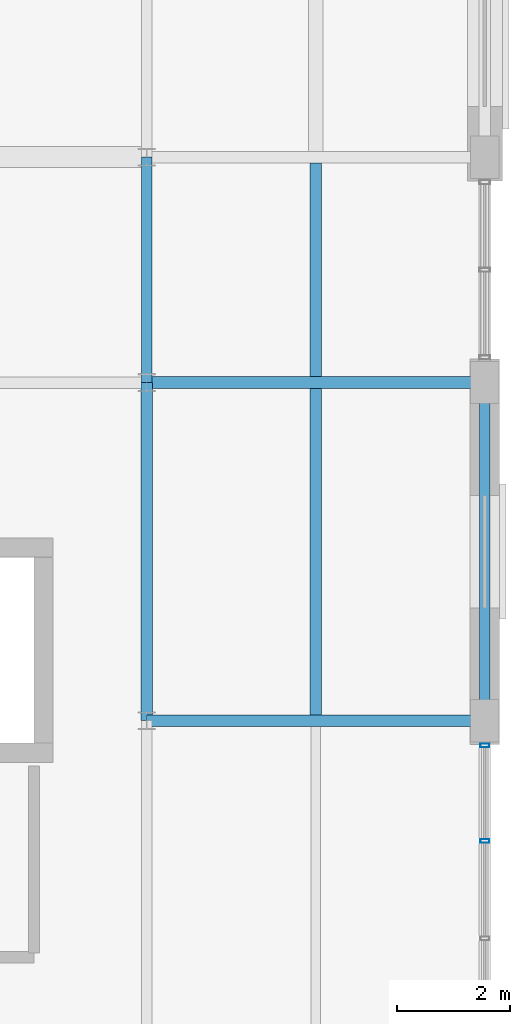
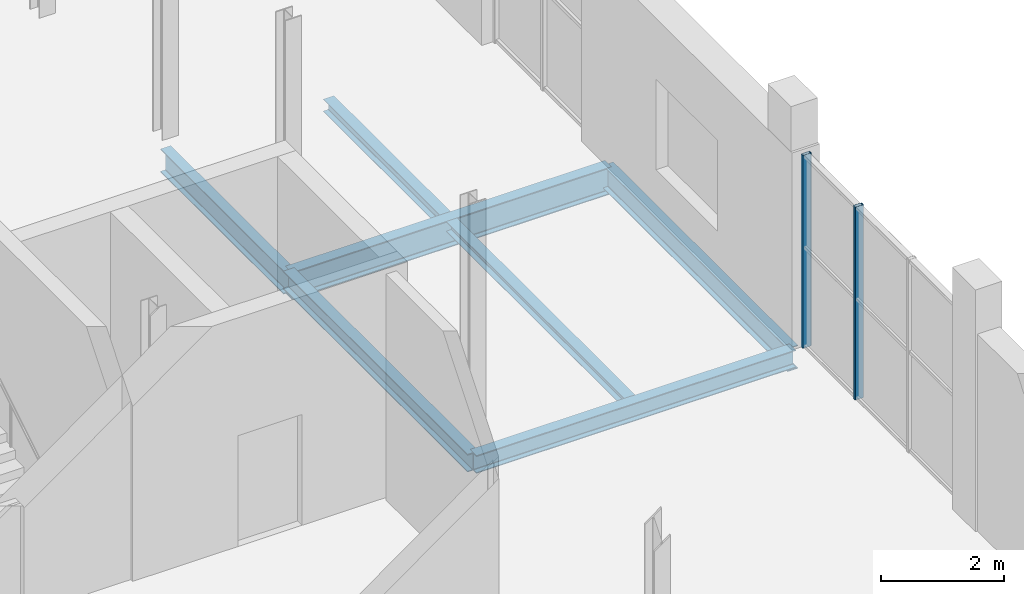
# One storey, part 78 of 114: 7 beams, 2 members, 1 element without a shape of its own.
"""IFC4 building model written with IfcOpenShell, lengths in metres."""

import ifcopenshell
import ifcopenshell.guid

model = None  # the IFC model being written
_history = None  # IfcOwnerHistory: only IFC2X3 demands one
_inside = {}  # id of a spatial element -> (the spatial element, [elements in it])
_under = {}  # id of a project, library or spatial element -> (it, [spatial elements below it])
_declared = {}  # id of a project -> (the project, [libraries it declares])
_typed = {}  # id of a type object -> (the type object, [elements of that type])
_made_of = {}  # id of a material, layer set ... -> (it, [elements and type objects made of it])


def new_model(schema):
    """Start an empty IFC model of exactly this schema.

    Asked for "IFC4X3", IfcOpenShell would pick the latest addendum, in which some entities
    have other attributes; the version numbers below select the first issue.
    IFC2X3 requires an IfcOwnerHistory on every rooted entity: one is made here for all.
    """
    global model, _history
    if schema == "IFC4X3":
        model = ifcopenshell.file(schema_version=(4, 3, 0, 0))
    else:
        model = ifcopenshell.file(schema=schema)
    _inside.clear()
    _under.clear()
    _declared.clear()
    _typed.clear()
    _made_of.clear()
    _history = None
    if model.schema == "IFC2X3":
        org = make("IfcOrganization", Name="unknown")
        user = make(
            "IfcPersonAndOrganization",
            ThePerson=make("IfcPerson", FamilyName="unknown"),
            TheOrganization=org,
        )
        app = make(
            "IfcApplication",
            ApplicationDeveloper=org,
            Version="unknown",
            ApplicationFullName="unknown",
            ApplicationIdentifier="unknown",
        )
        _history = make(
            "IfcOwnerHistory",
            OwningUser=user,
            OwningApplication=app,
            ChangeAction="ADDED",
            CreationDate=0,
        )
    return model


def make(cls, **values):
    """One entity of the class cls with the attributes given. An attribute that is None is left unset."""
    return model.create_entity(
        cls, **{name: value for name, value in values.items() if value is not None}
    )


def rooted(cls, **values):
    """An entity with a GlobalId (a new one), such as an element, a storey or a relation."""
    return make(cls, GlobalId=ifcopenshell.guid.new(), OwnerHistory=_history, **values)


def si_unit(unit_type, name, prefix=None):
    """IfcSIUnit, for example si_unit("LENGTHUNIT", "METRE", prefix="MILLI")."""
    return make("IfcSIUnit", UnitType=unit_type, Prefix=prefix, Name=name)


def assignment(units):
    """IfcUnitAssignment: the units of a project."""
    return None if units is None else make("IfcUnitAssignment", Units=units)


def point(xyz):
    """IfcCartesianPoint."""
    return None if xyz is None else make("IfcCartesianPoint", Coordinates=xyz)


def direction(xyz):
    """IfcDirection."""
    return None if xyz is None else make("IfcDirection", DirectionRatios=xyz)


def frame(location, z_axis=None, x_axis=None):
    """IfcAxis2Placement3D, a coordinate frame: its origin and axes. An axis left out is left unset."""
    return make(
        "IfcAxis2Placement3D",
        Location=point(location),
        Axis=direction(z_axis),
        RefDirection=direction(x_axis),
    )


def frame_2d(location, x_axis=None):
    """IfcAxis2Placement2D, a coordinate frame in the plane: its origin and x axis."""
    return make(
        "IfcAxis2Placement2D", Location=point(location), RefDirection=direction(x_axis)
    )


def origin():
    """The frame at (0, 0, 0) with its axes left unset."""
    return frame((0.0, 0.0, 0.0))


def origin_2d():
    """The frame at (0, 0) in the plane with its x axis left unset."""
    return frame_2d((0.0, 0.0))


def place(relative_to, where):
    """IfcLocalPlacement: puts the frame where relative to a parent placement (None: the world)."""
    return make(
        "IfcLocalPlacement", PlacementRelTo=relative_to, RelativePlacement=where
    )


def context(
    kind, dimensions, precision=None, world=None, true_north=None, identifier=None
):
    """IfcGeometricRepresentationContext, for example the 3D "Model" context."""
    return make(
        "IfcGeometricRepresentationContext",
        ContextIdentifier=identifier,
        ContextType=kind,
        CoordinateSpaceDimension=dimensions,
        Precision=precision,
        WorldCoordinateSystem=world,
        TrueNorth=true_north,
    )


def subcontext(parent, identifier, kind, view, scale=None):
    """IfcGeometricRepresentationSubContext, for example "Body" below "Model"."""
    return make(
        "IfcGeometricRepresentationSubContext",
        ContextIdentifier=identifier,
        ContextType=kind,
        ParentContext=parent,
        TargetScale=scale,
        TargetView=view,
    )


def project(units=None, contexts=None):
    """IfcProject with its units and contexts."""
    return rooted(
        "IfcProject",
        Name="project",
        RepresentationContexts=contexts,
        UnitsInContext=assignment(units),
    )


def spatial(cls, under=None, at=None, **own):
    """A site, building, storey or space (cls), placed at a placement, below another one or the project."""
    s = rooted(cls, ObjectPlacement=at, **own)
    if under is not None:
        _under.setdefault(under.id(), (under, []))[1].append(s)
    return s


def profile(cls, at=None, kind="AREA", **sizes):
    """A parametric profile (cls). Its sizes go by their IFC names, for example OverallWidth=200.0."""
    return make(cls, ProfileType=kind, Position=at, **sizes)


def hollow_rectangle(**sizes):
    """IfcRectangleHollowProfileDef."""
    return profile("IfcRectangleHollowProfileDef", **sizes)


def i_section(**sizes):
    """IfcIShapeProfileDef."""
    return profile("IfcIShapeProfileDef", **sizes)


def extrude(swept, where, along, depth):
    """IfcExtrudedAreaSolid: the profile swept, set in the frame where, extruded along a direction by depth."""
    return make(
        "IfcExtrudedAreaSolid",
        SweptArea=swept,
        Position=where,
        ExtrudedDirection=direction(along),
        Depth=depth,
    )


def shape(context_of_items, identifier, shape_type, items):
    """IfcShapeRepresentation: the items that make up one representation, for example the "Body"."""
    return make(
        "IfcShapeRepresentation",
        ContextOfItems=context_of_items,
        RepresentationIdentifier=identifier,
        RepresentationType=shape_type,
        Items=items,
    )


def material(Name=None, Category=None):
    """IfcMaterial."""
    return make("IfcMaterial", Name=Name, Category=Category)


def material_profile(
    of_material, cross_section, Name=None, Category=None, Priority=None
):
    """IfcMaterialProfile: a cross section and its material."""
    return make(
        "IfcMaterialProfile",
        Name=Name,
        Material=of_material,
        Profile=cross_section,
        Priority=Priority,
        Category=Category,
    )


def profile_set(profiles, Name=None, composite=None):
    """IfcMaterialProfileSet."""
    return make(
        "IfcMaterialProfileSet",
        Name=Name,
        MaterialProfiles=profiles,
        CompositeProfile=composite,
    )


def made_of(thing, what):
    """Note that an element or type object is made of a material, layer set ...; save() writes the relation."""
    if what is not None:
        _made_of.setdefault(what.id(), (what, []))[1].append(thing)
    return thing


def type_object(cls, material=None, **own):
    """A type object (cls), such as IfcWallType, which elements share."""
    return made_of(rooted(cls, **own), material)


def element(
    cls,
    number,
    at=None,
    inside=None,
    cuts=None,
    type_object=None,
    material=None,
    context=None,
    identifier="Body",
    shape_type=None,
    held_by="IfcProductDefinitionShape",
    body=None,
    shapes=None,
    **own,
):
    """One element of the class cls, such as IfcWall. Its Tag is "e" and its number.

    at: its placement. inside: the storey or other place that contains it. cuts: it is an
    opening in that element (IfcRelVoidsElement). A single representation is given by context,
    identifier, shape_type and body (its items); several are given by shapes. held_by: the class
    of the entity that holds the representations. save() writes the other relations.
    """
    e = rooted(cls, Tag="e%d" % number, ObjectPlacement=at, **own)
    if body is not None:
        shapes = [shape(context, identifier, shape_type, body)]
    if shapes is not None:
        e.Representation = make(held_by, Representations=shapes)
    if inside is not None:
        _inside.setdefault(inside.id(), (inside, []))[1].append(e)
    if cuts is not None:
        rooted(
            "IfcRelVoidsElement", RelatingBuildingElement=cuts, RelatedOpeningElement=e
        )
    if type_object is not None:
        _typed.setdefault(type_object.id(), (type_object, []))[1].append(e)
    return made_of(e, material)


def aggregate(whole, parts):
    """IfcRelAggregates: a whole, such as a stair, and the parts it consists of."""
    return rooted("IfcRelAggregates", RelatingObject=whole, RelatedObjects=parts)


def save(model, path):
    """Write the relations noted so far, then the file.

    IfcRelAggregates (storeys below a building ...), IfcRelContainedInSpatialStructure (elements
    in a storey), IfcRelDefinesByType, IfcRelAssociatesMaterial and IfcRelDeclares: one each for
    every whole, place, type object, material and project.
    """
    for whole, parts in _under.values():
        aggregate(whole, parts)
    for where, things in _inside.values():
        rooted(
            "IfcRelContainedInSpatialStructure",
            RelatedElements=things,
            RelatingStructure=where,
        )
    for kind, things in _typed.values():
        rooted("IfcRelDefinesByType", RelatedObjects=things, RelatingType=kind)
    for what, things in _made_of.values():
        rooted("IfcRelAssociatesMaterial", RelatedObjects=things, RelatingMaterial=what)
    for by, libraries in _declared.values():
        rooted("IfcRelDeclares", RelatingContext=by, RelatedDefinitions=libraries)
    model.write(path)


model = new_model("IFC4")

# Units and contexts
model_context = context("Model", 3, precision=1e-05, world=origin(), true_north=direction((0.0, 1.0)))
body_context = subcontext(model_context, "Body", "Model", "MODEL_VIEW")
ifc_project = project(units=[si_unit("LENGTHUNIT", "METRE"), si_unit("AREAUNIT", "SQUARE_METRE"), si_unit("VOLUMEUNIT", "CUBIC_METRE"), si_unit("PLANEANGLEUNIT", "RADIAN"), si_unit("MASSUNIT", "GRAM", prefix="KILO")], contexts=[model_context])

# Site, building, storey
site_placement = place(None, origin())
site = spatial("IfcSite", under=ifc_project, at=site_placement, CompositionType="ELEMENT")
building_placement = place(site_placement, origin())
building = spatial("IfcBuilding", under=site, at=building_placement, Name="Verrall Gate Interchange", CompositionType="ELEMENT")
storey_placement = place(building_placement, frame((0.0, 0.0, 6.60009765625)))
storey = spatial("IfcBuildingStorey", under=building, at=storey_placement, Name="L02", CompositionType="ELEMENT", Elevation=6.60009765625)

# Beams
ifc_material_1 = material(Name="Structural Steel CSA G40.21 350W", Category="steel")
ifc_material_profile_1 = material_profile(ifc_material_1, i_section(OverallWidth=0.2109375, OverallDepth=0.5390625, WebThickness=0.01171875, FlangeThickness=0.018798828125, FilletRadius=0.013916015625, at=origin_2d()), Name="W530x109")
ifc_profile_set_1 = profile_set([ifc_material_profile_1], Name="Structural Steel CSA G40.21 350W")
beam_type_1 = type_object("IfcBeamType", Name="B-10 Structural Beam W530x109", PredefinedType="BEAM", material=ifc_profile_set_1)
beam_1_placement = place(storey_placement, frame((162.0, 40.0, -0.549560546875), z_axis=(1.0, 0.0, 0.0), x_axis=(0.0, 1.0, 0.0)))
element("IfcBeam", 1, at=beam_1_placement, inside=storey, type_object=beam_type_1, Name="L02 Girder BM-L02-1544 (B-10)", PredefinedType="BEAM", context=body_context, shape_type="SweptSolid", body=[
    extrude(i_section(OverallWidth=0.2109375, OverallDepth=0.5390625, WebThickness=0.01171875, FlangeThickness=0.018798828125, FilletRadius=0.013916015625, at=origin_2d()), origin(), (0.0, 0.0, 1.0), 6.0),
])
ifc_material_2 = material(Name="Structural Steel CSA G40.21 350W", Category="steel")
ifc_material_profile_2 = material_profile(ifc_material_2, i_section(OverallWidth=0.19189453125, OverallDepth=0.462890625, WebThickness=0.010498046875, FlangeThickness=0.017578125, FilletRadius=0.012939453125, at=origin_2d()), Name="W460x89")
ifc_profile_set_2 = profile_set([ifc_material_profile_2], Name="Structural Steel CSA G40.21 350W")
beam_type_2 = type_object("IfcBeamType", Name="B-11 Structural Beam W460x89", PredefinedType="BEAM", material=ifc_profile_set_2)
beam_2_placement = place(storey_placement, frame((162.0, 40.0, -0.51171875), z_axis=(0.0, 1.0, 0.0), x_axis=(-1.0, 0.0, 0.0)))
element("IfcBeam", 2, at=beam_2_placement, inside=storey, type_object=beam_type_2, Name="L02 Girder BM-L02-1828 (B-11)", PredefinedType="BEAM", context=body_context, shape_type="SweptSolid", body=[
    extrude(i_section(OverallWidth=0.19189453125, OverallDepth=0.462890625, WebThickness=0.010498046875, FlangeThickness=0.017578125, FilletRadius=0.012939453125, at=origin_2d()), origin(), (0.0, 0.0, 1.0), 4.0),
])
beam_3_placement = place(storey_placement, frame((168.0, 34.0, -0.51171875), z_axis=(0.0, 1.0, 0.0), x_axis=(-1.0, 0.0, 0.0)))
element("IfcBeam", 3, at=beam_3_placement, inside=storey, type_object=beam_type_2, Name="L02 Girder BM-L02-1835 (B-11)", PredefinedType="BEAM", context=body_context, shape_type="SweptSolid", body=[
    extrude(i_section(OverallWidth=0.19189453125, OverallDepth=0.462890625, WebThickness=0.010498046875, FlangeThickness=0.017578125, FilletRadius=0.012939453125, at=origin_2d()), origin(), (0.0, 0.0, 1.0), 6.0),
])
ifc_material_3 = material(Name="Structural Steel CSA G40.21 350W", Category="steel")
ifc_material_profile_3 = material_profile(ifc_material_3, i_section(OverallWidth=0.205078125, OverallDepth=0.35400390625, WebThickness=0.009521484375, FlangeThickness=0.016845703125, FilletRadius=0.012939453125, at=origin_2d()), Name="W360x79")
ifc_profile_set_3 = profile_set([ifc_material_profile_3], Name="Structural Steel CSA G40.21 350W")
beam_type_3 = type_object("IfcBeamType", Name="B-14 Structural Beam W360x79", PredefinedType="BEAM", material=ifc_profile_set_3)
for number, where, z_axis, x_axis, name in (
    (4, (162.0, 34.0, -0.45703125), (1.0, 0.0, 0.0), (0.0, 1.0, 0.0), "L02 Girder BM-L02-1533 (B-14)"),
    (5, (162.0, 34.0, -0.45703125), (0.0, 1.0, 0.0), (-1.0, 0.0, 0.0), "L02 Girder BM-L02-1827 (B-14)"),
):
    element("IfcBeam", number, at=place(storey_placement, frame(where, z_axis=z_axis, x_axis=x_axis)), inside=storey, type_object=beam_type_3, Name=name, PredefinedType="BEAM", context=body_context, shape_type="SweptSolid", body=[
        extrude(i_section(OverallWidth=0.205078125, OverallDepth=0.35400390625, WebThickness=0.009521484375, FlangeThickness=0.016845703125, FilletRadius=0.012939453125, at=origin_2d()), origin(), (0.0, 0.0, 1.0), 6.0),
    ])

# Curtain wall, members
ifc_material_4 = material(Name="Thermally Broken Anodized Aluminium Curtain Wall Framing", Category="aluminium")
curtain_wall_type = type_object("IfcCurtainWallType", Name="CW-24 Unitized Curtain Wall 5186x3830", PredefinedType="NOTDEFINED", material=ifc_material_4)
curtain_wall_placement = place(storey_placement, origin())
curtain_wall = element("IfcCurtainWall", 6, at=curtain_wall_placement, inside=storey, type_object=curtain_wall_type, Name="L02 Unitized Curtain Wall CW-L02-092", PredefinedType="NOTDEFINED")
ifc_material_5 = material(Name="Thermally Broken Anodized Aluminium Curtain Wall Framing", Category="aluminium")
ifc_material_profile_4 = material_profile(ifc_material_5, hollow_rectangle(XDim=0.06494140625, YDim=0.159912109375, WallThickness=0.00390625, InnerFilletRadius=0.00390625, OuterFilletRadius=0.008056640625, at=origin_2d()), Name="CWM160x65x4")
ifc_profile_set_4 = profile_set([ifc_material_profile_4], Name="Thermally Broken Anodized Aluminium Curtain Wall Framing")
member_type = type_object("IfcMemberType", Name="CM-01 Curtain Mullion CWM160x65x4", PredefinedType="MULLION", material=ifc_profile_set_4)
member_1_placement = place(storey_placement, frame((168.0, 31.8642578125, 0.0), z_axis=(0.0, 0.0, 1.0), x_axis=(0.0, 1.0, 0.0)))
member_1 = element("IfcMember", 7, at=member_1_placement, type_object=member_type, Name="CW-L02-092 Mullion 3", PredefinedType="MULLION", context=body_context, shape_type="SweptSolid", body=[
    extrude(hollow_rectangle(XDim=0.06494140625, YDim=0.159912109375, WallThickness=0.00390625, InnerFilletRadius=0.00390625, OuterFilletRadius=0.008056640625, at=origin_2d()), origin(), (0.0, 0.0, 1.0), 3.829833984375),
])
member_2_placement = place(storey_placement, frame((168.0, 33.560546875, 0.0), z_axis=(0.0, 0.0, 1.0), x_axis=(0.0, 1.0, 0.0)))
member_2 = element("IfcMember", 8, at=member_2_placement, type_object=member_type, Name="CW-L02-092 Mullion 4", PredefinedType="MULLION", context=body_context, shape_type="SweptSolid", body=[
    extrude(hollow_rectangle(XDim=0.06494140625, YDim=0.159912109375, WallThickness=0.00390625, InnerFilletRadius=0.00390625, OuterFilletRadius=0.008056640625, at=origin_2d()), origin(), (0.0, 0.0, 1.0), 3.829833984375),
])
aggregate(curtain_wall, [member_1, member_2])

# Beams
ifc_material_6 = material(Name="Structural Steel CSA G40.21 350W", Category="steel")
ifc_material_profile_5 = material_profile(ifc_material_6, i_section(OverallWidth=0.201904296875, OverallDepth=0.2470703125, WebThickness=0.00732421875, FlangeThickness=0.010986328125, FilletRadius=0.010986328125, at=origin_2d()), Name="W250x49")
ifc_profile_set_5 = profile_set([ifc_material_profile_5], Name="Structural Steel CSA G40.21 350W")
beam_type_4 = type_object("IfcBeamType", Name="J-06 Floor Joist W250x49", PredefinedType="JOIST", material=ifc_profile_set_5)
beam_4_placement = place(storey_placement, frame((165.0, 40.10546875, -0.403564453125), z_axis=(0.0, 1.0, 0.0), x_axis=(-1.0, 0.0, 0.0)))
element("IfcBeam", 9, at=beam_4_placement, inside=storey, type_object=beam_type_4, Name="L02 Secondary Floor Joist JST-L02-1922", PredefinedType="JOIST", context=body_context, shape_type="SweptSolid", body=[
    extrude(i_section(OverallWidth=0.201904296875, OverallDepth=0.2470703125, WebThickness=0.00732421875, FlangeThickness=0.010986328125, FilletRadius=0.010986328125, at=origin_2d()), origin(), (0.0, 0.0, 1.0), 3.7919921875),
])
ifc_material_7 = material(Name="Structural Steel CSA G40.21 350W", Category="steel")
ifc_material_profile_6 = material_profile(ifc_material_7, i_section(OverallWidth=0.202880859375, OverallDepth=0.202880859375, WebThickness=0.007080078125, FlangeThickness=0.010986328125, FilletRadius=0.010009765625, at=origin_2d()), Name="W200x46")
ifc_profile_set_6 = profile_set([ifc_material_profile_6], Name="Structural Steel CSA G40.21 350W")
beam_type_5 = type_object("IfcBeamType", Name="J-07 Floor Joist W200x46", PredefinedType="JOIST", material=ifc_profile_set_6)
beam_5_placement = place(storey_placement, frame((165.0, 34.1025390625, -0.381591796875), z_axis=(0.0, 1.0, 0.0), x_axis=(-1.0, 0.0, 0.0)))
element("IfcBeam", 10, at=beam_5_placement, inside=storey, type_object=beam_type_5, Name="L02 Secondary Floor Joist JST-L02-1913", PredefinedType="JOIST", context=body_context, shape_type="SweptSolid", body=[
    extrude(i_section(OverallWidth=0.202880859375, OverallDepth=0.202880859375, WebThickness=0.007080078125, FlangeThickness=0.010986328125, FilletRadius=0.010009765625, at=origin_2d()), origin(), (0.0, 0.0, 1.0), 5.7919921875),
])

save(model, "model.ifc")
